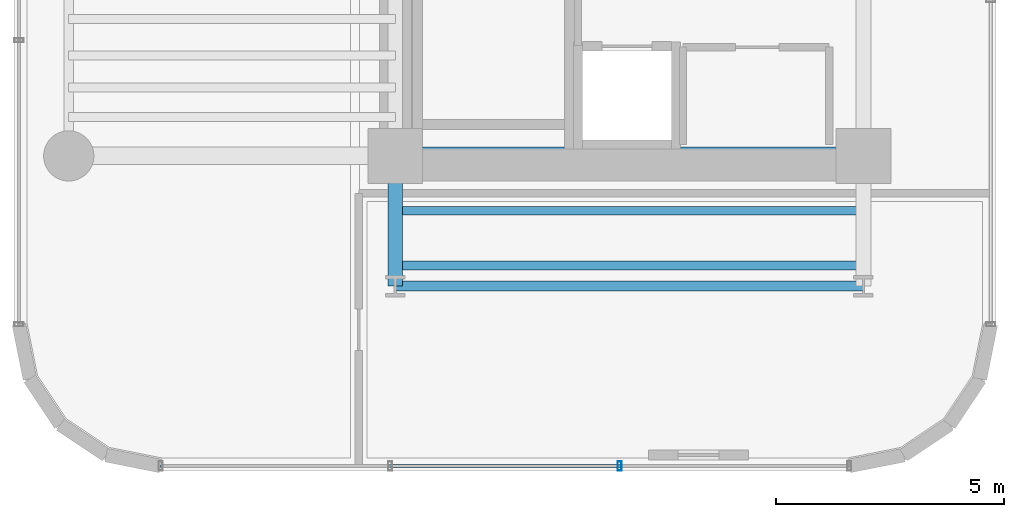
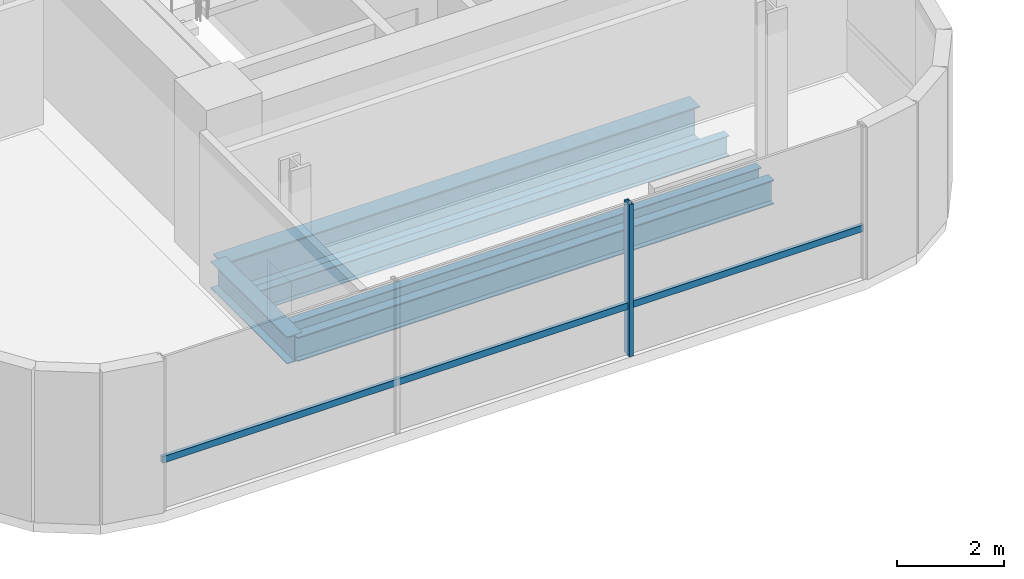
# One storey, part 3 of 34: 5 beams, 2 members, 1 element without a shape of its own.
"""IFC4 building model written with IfcOpenShell, lengths in metres."""

from ifc_helpers import new_model, si_unit, direction, frame, origin, origin_2d, place, context, subcontext, project, spatial, hollow_rectangle, i_section, extrude, source, transform, mapped, material, material_profile, profile_set, type_object, element, aggregate, save


model = new_model("IFC4")

# Units and contexts
model_context = context("Model", 3, precision=1e-05, world=origin(), true_north=direction((0.0, 1.0)))
body_context = subcontext(model_context, "Body", "Model", "MODEL_VIEW")
ifc_project = project(units=[si_unit("LENGTHUNIT", "METRE"), si_unit("AREAUNIT", "SQUARE_METRE"), si_unit("VOLUMEUNIT", "CUBIC_METRE"), si_unit("PLANEANGLEUNIT", "RADIAN"), si_unit("MASSUNIT", "GRAM", prefix="KILO")], contexts=[model_context])

# Site, building, storey
site_placement = place(None, origin())
site = spatial("IfcSite", under=ifc_project, at=site_placement, CompositionType="ELEMENT")
building_placement = place(site_placement, origin())
building = spatial("IfcBuilding", under=site, at=building_placement, Name="Valdorenza Pilgrim Sanctuary Tower", CompositionType="ELEMENT")
storey_placement = place(building_placement, frame((0.0, 0.0, 120.5)))
storey = spatial("IfcBuildingStorey", under=building, at=storey_placement, Name="L30", CompositionType="ELEMENT", Elevation=120.5)

# Beams
ifc_material_1 = material(Name="Steel ASTM A992 Grade 50", Category="steel")
ifc_material_profile_1 = material_profile(ifc_material_1, i_section(OverallWidth=0.214111328125, OverallDepth=0.549072265625, WebThickness=0.0146484375, FlangeThickness=0.023681640625, at=origin_2d()), Name="W21X93")
ifc_profile_set_1 = profile_set([ifc_material_profile_1], Name="Steel ASTM A992 Grade 50")
beam_type_1 = type_object("IfcBeamType", Name="STR-BM-SPN-W21A", PredefinedType="SPANDREL", material=ifc_profile_set_1)
shared_shape_1 = source(origin(), body_context, "Body", "SweptSolid", [
    extrude(i_section(OverallWidth=0.214111328125, OverallDepth=0.549072265625, WebThickness=0.0146484375, FlangeThickness=0.023681640625, at=origin_2d()), origin(), (0.0, 0.0, 1.0), 10.25),
])
beam_1_placement = place(storey_placement, frame((-22.64990234375, -13.449951171875, -0.514404296875), z_axis=(1.0, 0.0, 0.0), x_axis=(0.0, 1.0, 0.0)))
element("IfcBeam", 1, at=beam_1_placement, inside=storey, type_object=beam_type_1, Name="L30 South Spandrel WA-S-TIE", PredefinedType="SPANDREL", context=body_context, shape_type="MappedRepresentation", body=[
    mapped(shared_shape_1, transform((0.0, 0.0, 0.0), x_axis=(1.0, 0.0, 0.0), y_axis=(0.0, 1.0, 0.0), z_axis=(0.0, 0.0, 1.0), scale=1.0)),
])
ifc_material_profile_2 = material_profile(ifc_material_1, i_section(OverallWidth=0.323974609375, OverallDepth=0.611083984375, WebThickness=0.0126953125, FlangeThickness=0.01904296875, at=origin_2d()), Name="W24X104")
ifc_profile_set_2 = profile_set([ifc_material_profile_2], Name="Steel ASTM A992 Grade 50")
beam_type_2 = type_object("IfcBeamType", Name="STR-BM-GRD-W24B", PredefinedType="BEAM", material=ifc_profile_set_2)
shared_shape_2 = source(origin(), body_context, "Body", "SweptSolid", [
    extrude(i_section(OverallWidth=0.323974609375, OverallDepth=0.611083984375, WebThickness=0.0126953125, FlangeThickness=0.01904296875, at=origin_2d()), origin(), (0.0, 0.0, 1.0), 2.849853515625),
])
beam_2_placement = place(storey_placement, frame((-22.64990234375, -13.449951171875, -0.54541015625), z_axis=(0.0, 1.0, 0.0), x_axis=(-1.0, 0.0, 0.0)))
element("IfcBeam", 2, at=beam_2_placement, inside=storey, type_object=beam_type_2, Name="L30 Floor Girder WA-S-LW", PredefinedType="BEAM", context=body_context, shape_type="MappedRepresentation", body=[
    mapped(shared_shape_2, transform((0.0, 0.0, 0.0), x_axis=(1.0, 0.0, 0.0), y_axis=(0.0, 1.0, 0.0), z_axis=(0.0, 0.0, 1.0), scale=1.0)),
])
ifc_material_profile_3 = material_profile(ifc_material_1, i_section(OverallWidth=0.382080078125, OverallDepth=0.779052734375, WebThickness=0.01806640625, FlangeThickness=0.030029296875, at=origin_2d()), Name="W30X191")
ifc_profile_set_3 = profile_set([ifc_material_profile_3], Name="Steel ASTM A992 Grade 50")
beam_type_3 = type_object("IfcBeamType", Name="STR-BM-GRD-W30", PredefinedType="BEAM", material=ifc_profile_set_3)
shared_shape_3 = source(origin(), body_context, "Body", "SweptSolid", [
    extrude(i_section(OverallWidth=0.382080078125, OverallDepth=0.779052734375, WebThickness=0.01806640625, FlangeThickness=0.030029296875, at=origin_2d()), origin(), (0.0, 0.0, 1.0), 10.25),
])
beam_3_placement = place(storey_placement, frame((-22.64990234375, -10.60009765625, -0.62939453125), z_axis=(1.0, 0.0, 0.0), x_axis=(0.0, 1.0, 0.0)))
element("IfcBeam", 3, at=beam_3_placement, inside=storey, type_object=beam_type_3, Name="L30 Floor Girder CA-XC-S1", PredefinedType="BEAM", context=body_context, shape_type="MappedRepresentation", body=[
    mapped(shared_shape_3, transform((0.0, 0.0, 0.0), x_axis=(1.0, 0.0, 0.0), y_axis=(0.0, 1.0, 0.0), z_axis=(0.0, 0.0, 1.0), scale=1.0)),
])
ifc_material_profile_4 = material_profile(ifc_material_1, i_section(OverallWidth=0.19091796875, OverallDepth=0.45703125, WebThickness=0.009033203125, FlangeThickness=0.014404296875, at=origin_2d()), Name="W18X50")
ifc_profile_set_4 = profile_set([ifc_material_profile_4], Name="Steel ASTM A992 Grade 50")
beam_type_4 = type_object("IfcBeamType", Name="STR-BM-JST-W18B", PredefinedType="JOIST", material=ifc_profile_set_4)
shared_shape_4 = source(origin(), body_context, "Body", "SweptSolid", [
    extrude(i_section(OverallWidth=0.19091796875, OverallDepth=0.45703125, WebThickness=0.009033203125, FlangeThickness=0.014404296875, at=origin_2d()), origin(), (0.0, 0.0, 1.0), 10.25),
])
for number, where, z_axis, x_axis, name in (
    (4, (-22.64990234375, -13.0, -0.468505859375), (1.0, 0.0, 0.0), (0.0, 1.0, 0.0), "L30 Composite Floor Joist JST-WAS-1"),
    (5, (-22.64990234375, -11.800048828125, -0.468505859375), (1.0, 0.0, 0.0), (0.0, 1.0, 0.0), "L30 Composite Floor Joist JST-WAS-2"),
):
    element("IfcBeam", number, at=place(storey_placement, frame(where, z_axis=z_axis, x_axis=x_axis)), inside=storey, type_object=beam_type_4, Name=name, PredefinedType="JOIST", context=body_context, shape_type="MappedRepresentation", body=[
        mapped(shared_shape_4, transform((0.0, 0.0, 0.0), x_axis=(1.0, 0.0, 0.0), y_axis=(0.0, 1.0, 0.0), z_axis=(0.0, 0.0, 1.0), scale=1.0)),
    ])

# Curtain wall, members
ifc_material_2 = material(Name="Curtain-wall IGU glazing", Category="glass")
curtain_wall_type = type_object("IfcCurtainWallType", Name="CW-SYS-02", PredefinedType="NOTDEFINED", material=ifc_material_2)
curtain_wall_placement = place(storey_placement, origin())
curtain_wall = element("IfcCurtainWall", 6, at=curtain_wall_placement, inside=storey, type_object=curtain_wall_type, Name="L30 Curtain Wall CW-L30-1-46", PredefinedType="NOTDEFINED")
ifc_material_3 = material(Name="Anodised aluminium AW-6060", Category="aluminium")
ifc_material_profile_5 = material_profile(ifc_material_3, hollow_rectangle(XDim=0.0849609375, YDim=0.199951171875, WallThickness=0.0048828125, at=origin_2d()), Name="ALU-M 200x85x5")
ifc_profile_set_5 = profile_set([ifc_material_profile_5], Name="Anodised aluminium AW-6060")
member_type_1 = type_object("IfcMemberType", Name="CW-MUL-02", PredefinedType="MULLION", material=ifc_profile_set_5)
shared_shape_5 = source(origin(), body_context, "Body", "SweptSolid", [
    extrude(hollow_rectangle(XDim=0.0849609375, YDim=0.199951171875, WallThickness=0.0048828125, at=origin_2d()), origin(), (0.0, 0.0, 1.0), 3.4599609375),
])
member_1_placement = place(storey_placement, frame((-17.73681640625, -17.389892578125, 0.0), z_axis=(0.0, 0.0, 1.0), x_axis=(-1.0, 0.0, 0.0)))
member_1 = element("IfcMember", 7, at=member_1_placement, type_object=member_type_1, Name="CW-L30-1-46 Mullion 2", PredefinedType="MULLION", context=body_context, shape_type="MappedRepresentation", body=[
    mapped(shared_shape_5, transform((0.0, 0.0, 0.0), x_axis=(1.0, 0.0, 0.0), y_axis=(0.0, 1.0, 0.0), z_axis=(0.0, 0.0, 1.0), scale=1.0)),
])
ifc_material_profile_6 = material_profile(ifc_material_3, hollow_rectangle(XDim=0.074951171875, YDim=0.14990234375, WallThickness=0.00390625, at=origin_2d()), Name="ALU-T 150x75x4")
ifc_profile_set_6 = profile_set([ifc_material_profile_6], Name="Anodised aluminium AW-6060")
member_type_2 = type_object("IfcMemberType", Name="CW-TRN-02", PredefinedType="USERDEFINED", material=ifc_profile_set_6)
shared_shape_6 = source(origin(), body_context, "Body", "SweptSolid", [
    extrude(hollow_rectangle(XDim=0.074951171875, YDim=0.14990234375, WallThickness=0.00390625, at=origin_2d()), origin(), (0.0, 0.0, 1.0), 15.07861328125),
])
member_2_placement = place(storey_placement, frame((-12.710693359375, -17.389892578125, 1.1201171875), z_axis=(-1.0, 0.0, 0.0), x_axis=(0.0, -1.0, 0.0)))
member_2 = element("IfcMember", 8, at=member_2_placement, type_object=member_type_2, Name="CW-L30-1-46 Transom 1", ObjectType="TRANSOM", PredefinedType="USERDEFINED", context=body_context, shape_type="MappedRepresentation", body=[
    mapped(shared_shape_6, transform((0.0, 0.0, 0.0), x_axis=(1.0, 0.0, 0.0), y_axis=(0.0, 1.0, 0.0), z_axis=(0.0, 0.0, 1.0), scale=1.0)),
])
aggregate(curtain_wall, [member_1, member_2])

save(model, "model.ifc")
